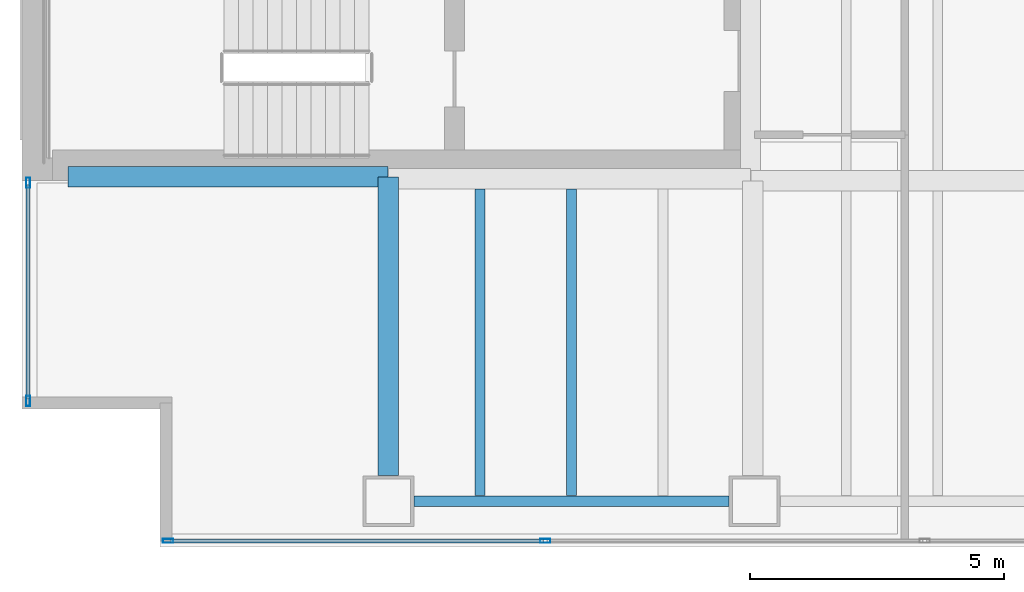
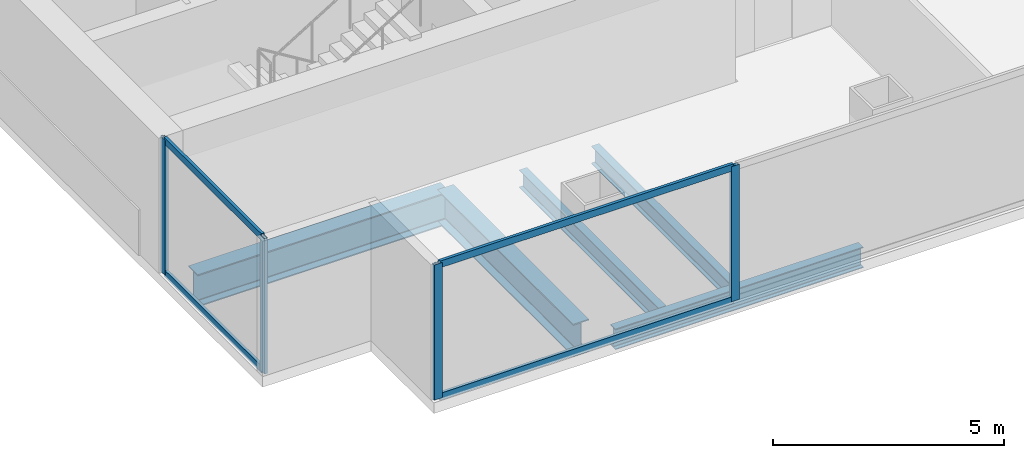
# One storey, part 2 of 25: 8 members, 5 beams, 2 elements without a shape of their own.
"""IFC4 building model written with IfcOpenShell, lengths in metres."""

from ifc_helpers import new_model, si_unit, direction, frame, origin, origin_2d, place, context, subcontext, project, spatial, hollow_rectangle, i_section, extrude, material, material_profile, profile_set, type_object, element, aggregate, save


model = new_model("IFC4")

# Units and contexts
model_context = context("Model", 3, precision=1e-05, world=origin(), true_north=direction((0.0, 1.0)))
body_context = subcontext(model_context, "Body", "Model", "MODEL_VIEW")
ifc_project = project(units=[si_unit("LENGTHUNIT", "METRE"), si_unit("AREAUNIT", "SQUARE_METRE"), si_unit("VOLUMEUNIT", "CUBIC_METRE"), si_unit("PLANEANGLEUNIT", "RADIAN"), si_unit("MASSUNIT", "GRAM", prefix="KILO")], contexts=[model_context])

# Site, building, storey
site_placement = place(None, origin())
site = spatial("IfcSite", under=ifc_project, at=site_placement, CompositionType="ELEMENT")
building_placement = place(site_placement, origin())
building = spatial("IfcBuilding", under=site, at=building_placement, Name="Cobrela Telecom Tower", CompositionType="ELEMENT")
storey_placement = place(building_placement, frame((0.0, 0.0, 61.949951171875)))
storey = spatial("IfcBuildingStorey", under=building, at=storey_placement, Name="L15", CompositionType="ELEMENT", Elevation=61.949951171875)

# Beams
ifc_material_1 = material(Name="Steel ASTM A992 Grade 50", Category="steel")
ifc_material_profile_1 = material_profile(ifc_material_1, i_section(OverallWidth=0.39892578125, OverallDepth=0.85595703125, WebThickness=0.018310546875, FlangeThickness=0.029296875, FilletRadius=0.02001953125, at=origin_2d()), Name="W33X201")
ifc_profile_set_1 = profile_set([ifc_material_profile_1], Name="Steel ASTM A992 Grade 50")
beam_type_1 = type_object("IfcBeamType", Name="BM-GIRD-03", PredefinedType="USERDEFINED", material=ifc_profile_set_1)
beam_1_placement = place(storey_placement, frame((0.905029296875, 7.280029296875, -0.7080078125), z_axis=(1.0, 0.0, 0.0), x_axis=(0.0, 1.0, 0.0)))
element("IfcBeam", 1, at=beam_1_placement, inside=storey, type_object=beam_type_1, Name="L15 Primary Girder X06", ObjectType="GIRDER", PredefinedType="USERDEFINED", context=body_context, shape_type="SweptSolid", body=[
    extrude(i_section(OverallWidth=0.39892578125, OverallDepth=0.85595703125, WebThickness=0.018310546875, FlangeThickness=0.029296875, FilletRadius=0.02001953125, at=origin_2d()), origin(), (0.0, 0.0, 1.0), 6.2900390625),
])
beam_2_placement = place(storey_placement, frame((7.199951171875, 1.405029296875, -0.7080078125), z_axis=(0.0, 1.0, 0.0), x_axis=(-1.0, 0.0, 0.0)))
element("IfcBeam", 2, at=beam_2_placement, inside=storey, type_object=beam_type_1, Name="L15 Primary Girder Y32", ObjectType="GIRDER", PredefinedType="USERDEFINED", context=body_context, shape_type="SweptSolid", body=[
    extrude(i_section(OverallWidth=0.39892578125, OverallDepth=0.85595703125, WebThickness=0.018310546875, FlangeThickness=0.029296875, FilletRadius=0.02001953125, at=origin_2d()), origin(), (0.0, 0.0, 1.0), 5.869873046875),
])
ifc_material_profile_2 = material_profile(ifc_material_1, i_section(OverallWidth=0.193115234375, OverallDepth=0.467041015625, WebThickness=0.011474609375, FlangeThickness=0.01904296875, FilletRadius=0.012939453125, at=origin_2d()), Name="W18X65")
ifc_profile_set_2 = profile_set([ifc_material_profile_2], Name="Steel ASTM A992 Grade 50")
beam_type_2 = type_object("IfcBeamType", Name="BM-JOIST-03", PredefinedType="JOIST", material=ifc_profile_set_2)
for number, where, z_axis, x_axis, name in (
    (3, (9.0, 1.011474609375, -0.513427734375), (0.0, 1.0, 0.0), (-1.0, 0.0, 0.0), "L15 Secondary Composite Floor Beam J01"),
    (4, (10.800048828125, 1.011474609375, -0.513427734375), (0.0, 1.0, 0.0), (-1.0, 0.0, 0.0), "L15 Secondary Composite Floor Beam J03"),
):
    element("IfcBeam", number, at=place(storey_placement, frame(where, z_axis=z_axis, x_axis=x_axis)), inside=storey, type_object=beam_type_2, Name=name, PredefinedType="JOIST", context=body_context, shape_type="SweptSolid", body=[
        extrude(i_section(OverallWidth=0.193115234375, OverallDepth=0.467041015625, WebThickness=0.011474609375, FlangeThickness=0.01904296875, FilletRadius=0.012939453125, at=origin_2d()), origin(), (0.0, 0.0, 1.0), 6.02392578125),
    ])
ifc_material_profile_3 = material_profile(ifc_material_1, i_section(OverallWidth=0.212890625, OverallDepth=0.549072265625, WebThickness=0.0146484375, FlangeThickness=0.023681640625, FilletRadius=0.013916015625, at=origin_2d()), Name="W21X93")
ifc_profile_set_3 = profile_set([ifc_material_profile_3], Name="Steel ASTM A992 Grade 50")
beam_type_3 = type_object("IfcBeamType", Name="BM-SPAND-03", PredefinedType="SPANDREL", material=ifc_profile_set_3)
beam_3_placement = place(storey_placement, frame((7.705078125, 0.89990234375, -0.554443359375), z_axis=(1.0, 0.0, 0.0), x_axis=(0.0, 1.0, 0.0)))
element("IfcBeam", 5, at=beam_3_placement, inside=storey, type_object=beam_type_3, Name="L15 Perimeter Spandrel X01", PredefinedType="SPANDREL", context=body_context, shape_type="SweptSolid", body=[
    extrude(i_section(OverallWidth=0.212890625, OverallDepth=0.549072265625, WebThickness=0.0146484375, FlangeThickness=0.023681640625, FilletRadius=0.013916015625, at=origin_2d()), origin(), (0.0, 0.0, 1.0), 6.18994140625),
])

# Curtain wall, members
ifc_material_2 = material(Name="Anodized Bronze Aluminium 6063-T6", Category="aluminium")
curtain_wall_type = type_object("IfcCurtainWallType", Name="CW-SYS-DATA", PredefinedType="USERDEFINED", material=ifc_material_2)
curtain_wall_1_placement = place(storey_placement, origin())
curtain_wall_1 = element("IfcCurtainWall", 6, at=curtain_wall_1_placement, inside=storey, type_object=curtain_wall_type, Name="L15 Unitised Bronze Curtain Wall 03", ObjectType="UNITISED CURTAIN WALL", PredefinedType="USERDEFINED")
ifc_material_profile_4 = material_profile(ifc_material_2, hollow_rectangle(XDim=0.080078125, YDim=0.199951171875, WallThickness=0.00390625, at=origin_2d()), Name="ALU 80x200x4")
ifc_profile_set_4 = profile_set([ifc_material_profile_4], Name="Anodized Bronze Aluminium 6063-T6")
member_type_1 = type_object("IfcMemberType", Name="CW-SYS-DATA-MUL", PredefinedType="MULLION", material=ifc_profile_set_4)
member_1_placement = place(storey_placement, frame((0.1201171875, 2.8701171875, 0.0), z_axis=(0.0, 0.0, 1.0), x_axis=(-1.0, 0.0, 0.0)))
member_1 = element("IfcMember", 7, at=member_1_placement, type_object=member_type_1, Name="CW-DATA mullion 1", PredefinedType="MULLION", context=body_context, shape_type="SweptSolid", body=[
    extrude(hollow_rectangle(XDim=0.080078125, YDim=0.199951171875, WallThickness=0.00390625, at=origin_2d()), origin(), (0.0, 0.0, 1.0), 3.570068359375),
])
member_2_placement = place(storey_placement, frame((0.1201171875, 7.159912109375, 0.0), z_axis=(0.0, 0.0, 1.0), x_axis=(-1.0, 0.0, 0.0)))
member_2 = element("IfcMember", 8, at=member_2_placement, type_object=member_type_1, Name="CW-DATA mullion 2", PredefinedType="MULLION", context=body_context, shape_type="SweptSolid", body=[
    extrude(hollow_rectangle(XDim=0.080078125, YDim=0.199951171875, WallThickness=0.00390625, at=origin_2d()), origin(), (0.0, 0.0, 1.0), 3.570068359375),
])

curtain_wall_2_placement = place(storey_placement, origin())
curtain_wall_2 = element("IfcCurtainWall", 9, at=curtain_wall_2_placement, inside=storey, type_object=curtain_wall_type, Name="L15 Unitised Bronze Curtain Wall 17", ObjectType="UNITISED CURTAIN WALL", PredefinedType="USERDEFINED")
member_3_placement = place(storey_placement, frame((10.28662109375, 0.1201171875, 0.0), z_axis=(0.0, 0.0, 1.0), x_axis=(0.0, -1.0, 0.0)))
member_3 = element("IfcMember", 10, at=member_3_placement, type_object=member_type_1, Name="CW-DATA mullion 6", PredefinedType="MULLION", context=body_context, shape_type="SweptSolid", body=[
    extrude(hollow_rectangle(XDim=0.080078125, YDim=0.199951171875, WallThickness=0.00390625, at=origin_2d()), origin(), (0.0, 0.0, 1.0), 3.570068359375),
])
member_4_placement = place(storey_placement, frame((2.8701171875, 0.1201171875, 0.0), z_axis=(0.0, 0.0, 1.0), x_axis=(0.0, -1.0, 0.0)))
member_4 = element("IfcMember", 11, at=member_4_placement, type_object=member_type_1, Name="CW-DATA mullion 7", PredefinedType="MULLION", context=body_context, shape_type="SweptSolid", body=[
    extrude(hollow_rectangle(XDim=0.080078125, YDim=0.199951171875, WallThickness=0.00390625, at=origin_2d()), origin(), (0.0, 0.0, 1.0), 3.570068359375),
])

# Member
ifc_material_profile_5 = material_profile(ifc_material_2, hollow_rectangle(XDim=0.074951171875, YDim=0.179931640625, WallThickness=0.00390625, at=origin_2d()), Name="ALU 75x180x4")
ifc_profile_set_5 = profile_set([ifc_material_profile_5], Name="Anodized Bronze Aluminium 6063-T6")
member_type_2 = type_object("IfcMemberType", Name="CW-SYS-DATA-TRN", PredefinedType="USERDEFINED", material=ifc_profile_set_5)
member_5_placement = place(storey_placement, frame((0.1201171875, 2.909912109375, 0.03759765625), z_axis=(0.0, 1.0, 0.0), x_axis=(-1.0, 0.0, 0.0)))
member_5 = element("IfcMember", 12, at=member_5_placement, type_object=member_type_2, Name="CW-DATA transom 1.1", ObjectType="TRANSOM", PredefinedType="USERDEFINED", context=body_context, shape_type="SweptSolid", body=[
    extrude(hollow_rectangle(XDim=0.074951171875, YDim=0.179931640625, WallThickness=0.00390625, at=origin_2d()), origin(), (0.0, 0.0, 1.0), 4.210205078125),
])

member_6_placement = place(storey_placement, frame((0.1201171875, 2.909912109375, 3.532470703125), z_axis=(0.0, 1.0, 0.0), x_axis=(-1.0, 0.0, 0.0)))
member_6 = element("IfcMember", 13, at=member_6_placement, type_object=member_type_2, Name="CW-DATA transom 1.2", ObjectType="TRANSOM", PredefinedType="USERDEFINED", context=body_context, shape_type="SweptSolid", body=[
    extrude(hollow_rectangle(XDim=0.074951171875, YDim=0.179931640625, WallThickness=0.00390625, at=origin_2d()), origin(), (0.0, 0.0, 1.0), 4.210205078125),
])

aggregate(curtain_wall_1, [member_1, member_2, member_5, member_6])

member_7_placement = place(storey_placement, frame((10.24658203125, 0.1201171875, 0.03759765625), z_axis=(-1.0, 0.0, 0.0), x_axis=(0.0, -1.0, 0.0)))
member_7 = element("IfcMember", 14, at=member_7_placement, type_object=member_type_2, Name="CW-DATA transom 6.1", ObjectType="TRANSOM", PredefinedType="USERDEFINED", context=body_context, shape_type="SweptSolid", body=[
    extrude(hollow_rectangle(XDim=0.074951171875, YDim=0.179931640625, WallThickness=0.00390625, at=origin_2d()), origin(), (0.0, 0.0, 1.0), 7.336669921875),
])

member_8_placement = place(storey_placement, frame((10.24658203125, 0.1201171875, 3.532470703125), z_axis=(-1.0, 0.0, 0.0), x_axis=(0.0, -1.0, 0.0)))
member_8 = element("IfcMember", 15, at=member_8_placement, type_object=member_type_2, Name="CW-DATA transom 6.2", ObjectType="TRANSOM", PredefinedType="USERDEFINED", context=body_context, shape_type="SweptSolid", body=[
    extrude(hollow_rectangle(XDim=0.074951171875, YDim=0.179931640625, WallThickness=0.00390625, at=origin_2d()), origin(), (0.0, 0.0, 1.0), 7.336669921875),
])

aggregate(curtain_wall_2, [member_3, member_4, member_7, member_8])

save(model, "model.ifc")
